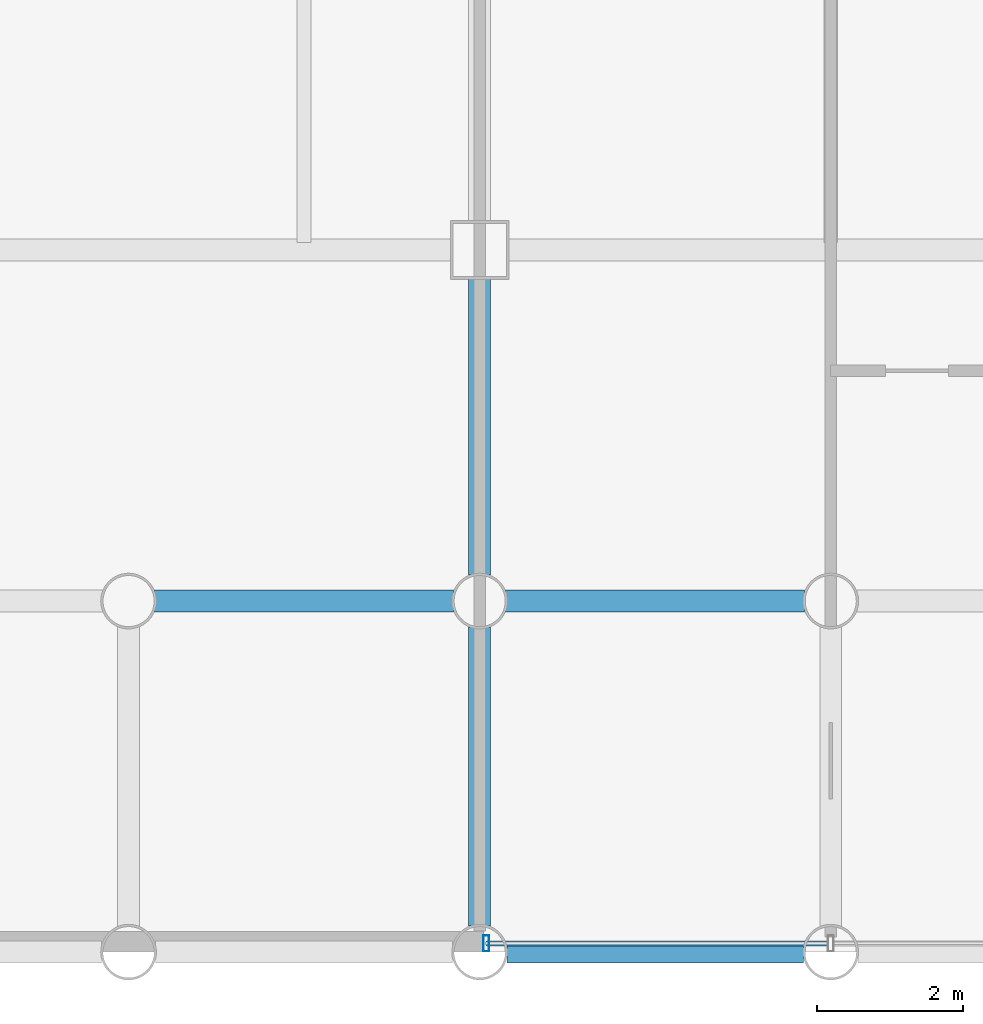
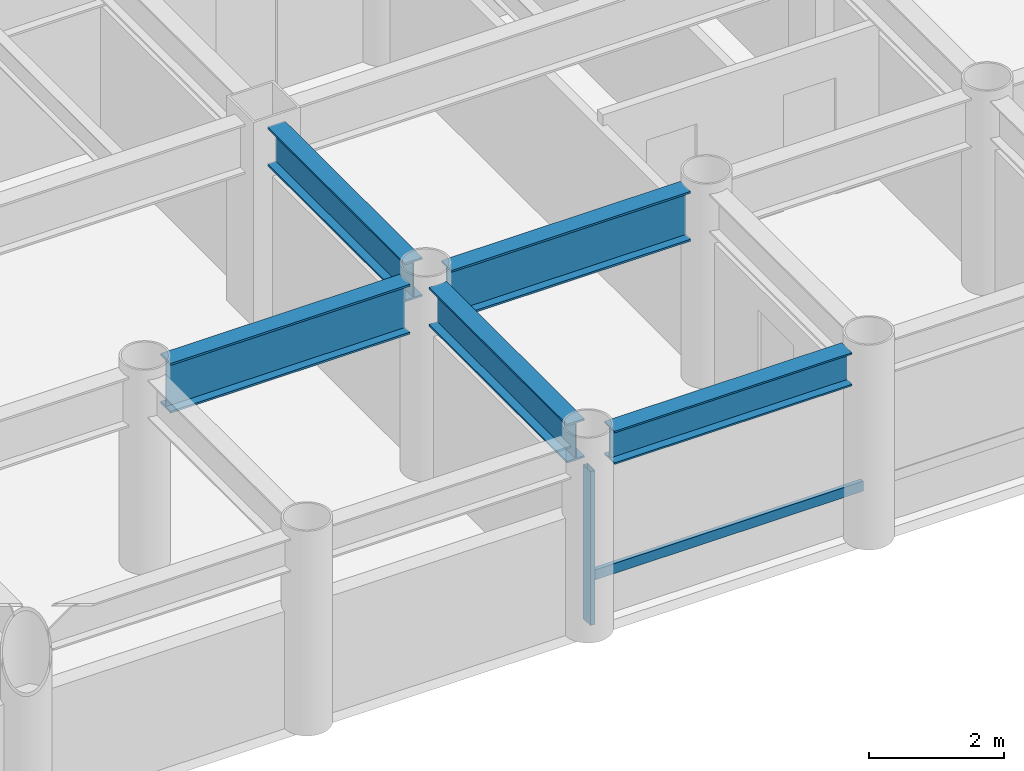
# One storey, part 2 of 22: 5 beams, 2 members, 1 element without a shape of its own.
"""IFC4 building model written with IfcOpenShell, lengths in metres."""

from ifc_helpers import new_model, si_unit, direction, frame, origin, origin_2d, place, context, subcontext, project, spatial, hollow_rectangle, i_section, extrude, material, layer, layer_set, material_profile, profile_set, type_object, element, aggregate, save


model = new_model("IFC4")

# Units and contexts
model_context = context("Model", 3, precision=1e-05, world=origin(), true_north=direction((0.0, 1.0)))
body_context = subcontext(model_context, "Body", "Model", "MODEL_VIEW")
ifc_project = project(units=[si_unit("LENGTHUNIT", "METRE"), si_unit("AREAUNIT", "SQUARE_METRE"), si_unit("VOLUMEUNIT", "CUBIC_METRE"), si_unit("PLANEANGLEUNIT", "RADIAN"), si_unit("MASSUNIT", "GRAM", prefix="KILO")], contexts=[model_context])

# Site, building, storey
site_placement = place(None, origin())
site = spatial("IfcSite", under=ifc_project, at=site_placement, CompositionType="ELEMENT")
building_placement = place(site_placement, origin())
building = spatial("IfcBuilding", under=site, at=building_placement, Name="Kallvorn Hotel Tower", CompositionType="ELEMENT")
storey_placement = place(building_placement, frame((0.0, 0.0, 48.5)))
storey = spatial("IfcBuildingStorey", under=building, at=storey_placement, Name="L10", CompositionType="ELEMENT", Elevation=48.5)

# Beams
ifc_material_1 = material(Name="Structural steel S355JR", Category="steel")
ifc_material_profile_1 = material_profile(ifc_material_1, i_section(OverallWidth=0.300048828125, OverallDepth=0.60009765625, WebThickness=0.015380859375, FlangeThickness=0.030029296875, at=origin_2d()), Name="HE 600 B")
ifc_profile_set_1 = profile_set([ifc_material_profile_1], Name="Structural steel S355JR")
beam_type_1 = type_object("IfcBeamType", Name="BM_HE600B", PredefinedType="SPANDREL", material=ifc_profile_set_1)
beam_1_placement = place(storey_placement, frame((-4.428955078125, -24.0, 3.219970703125), z_axis=(1.0, 0.0, 0.0), x_axis=(0.0, 1.0, 0.0)))
element("IfcBeam", 1, at=beam_1_placement, inside=storey, type_object=beam_type_1, Name="L11 Perimeter Spandrel 156", PredefinedType="SPANDREL", context=body_context, shape_type="SweptSolid", body=[
    extrude(i_section(OverallWidth=0.300048828125, OverallDepth=0.60009765625, WebThickness=0.015380859375, FlangeThickness=0.030029296875, at=origin_2d()), origin(), (0.0, 0.0, 1.0), 4.057861328125),
])
ifc_material_2 = material(Name="Structural steel S355JR", Category="steel")
ifc_material_profile_2 = material_profile(ifc_material_2, i_section(OverallWidth=0.300048828125, OverallDepth=0.699951171875, WebThickness=0.01708984375, FlangeThickness=0.031982421875, at=origin_2d()), Name="HE 700 B")
ifc_profile_set_2 = profile_set([ifc_material_profile_2], Name="Structural steel S355JR")
beam_type_2 = type_object("IfcBeamType", Name="BM_HE700B", PredefinedType="BEAM", material=ifc_profile_set_2)
beam_2_placement = place(storey_placement, frame((-4.800048828125, -23.64404296875, 3.169921875), z_axis=(0.0, 1.0, 0.0), x_axis=(-1.0, 0.0, 0.0)))
element("IfcBeam", 2, at=beam_2_placement, inside=storey, type_object=beam_type_2, Name="L11 Primary Y-Girder 106", PredefinedType="BEAM", context=body_context, shape_type="SweptSolid", body=[
    extrude(i_section(OverallWidth=0.300048828125, OverallDepth=0.699951171875, WebThickness=0.01708984375, FlangeThickness=0.031982421875, at=origin_2d()), origin(), (0.0, 0.0, 1.0), 4.088134765625),
])
beam_3_placement = place(storey_placement, frame((-4.800048828125, -18.843994140625, 3.169921875), z_axis=(0.0, 1.0, 0.0), x_axis=(-1.0, 0.0, 0.0)))
element("IfcBeam", 3, at=beam_3_placement, inside=storey, type_object=beam_type_2, Name="L11 Primary Y-Girder 107", PredefinedType="BEAM", context=body_context, shape_type="SweptSolid", body=[
    extrude(i_section(OverallWidth=0.300048828125, OverallDepth=0.699951171875, WebThickness=0.01708984375, FlangeThickness=0.031982421875, at=origin_2d()), origin(), (0.0, 0.0, 1.0), 4.069091796875),
])
ifc_material_3 = material(Name="Structural steel S355JR", Category="steel")
ifc_material_profile_3 = material_profile(ifc_material_3, i_section(OverallWidth=0.300048828125, OverallDepth=0.89990234375, WebThickness=0.0185546875, FlangeThickness=0.034912109375, at=origin_2d()), Name="HE 900 B")
ifc_profile_set_3 = profile_set([ifc_material_profile_3], Name="Structural steel S355JR")
beam_type_3 = type_object("IfcBeamType", Name="BM_HE900B", PredefinedType="BEAM", material=ifc_profile_set_3)
beam_4_placement = place(storey_placement, frame((-9.243896484375, -19.199951171875, 3.070068359375), z_axis=(1.0, 0.0, 0.0), x_axis=(0.0, 1.0, 0.0)))
element("IfcBeam", 4, at=beam_4_placement, inside=storey, type_object=beam_type_3, Name="L11 Primary X-Girder 06", PredefinedType="BEAM", context=body_context, shape_type="SweptSolid", body=[
    extrude(i_section(OverallWidth=0.300048828125, OverallDepth=0.89990234375, WebThickness=0.0185546875, FlangeThickness=0.034912109375, at=origin_2d()), origin(), (0.0, 0.0, 1.0), 4.087890625),
])
beam_5_placement = place(storey_placement, frame((-4.444091796875, -19.199951171875, 3.070068359375), z_axis=(1.0, 0.0, 0.0), x_axis=(0.0, 1.0, 0.0)))
element("IfcBeam", 5, at=beam_5_placement, inside=storey, type_object=beam_type_3, Name="L11 Primary X-Girder 07", PredefinedType="BEAM", context=body_context, shape_type="SweptSolid", body=[
    extrude(i_section(OverallWidth=0.300048828125, OverallDepth=0.89990234375, WebThickness=0.0185546875, FlangeThickness=0.034912109375, at=origin_2d()), origin(), (0.0, 0.0, 1.0), 4.088134765625),
])

# Curtain wall, members
ifc_material_4 = material(Name="Thermally broken black-anodised aluminium AA 6063-T6", Category="aluminium")
ifc_layer = layer(ifc_material_4, 0.199951171875)
ifc_layer_set = layer_set([ifc_layer], Name="CW_SYS_3_HOTEL_LOW")
curtain_wall_type = type_object("IfcCurtainWallType", Name="CW_SYS_3_HOTEL_LOW", PredefinedType="USERDEFINED", material=ifc_layer_set)
curtain_wall_placement = place(storey_placement, origin())
curtain_wall = element("IfcCurtainWall", 6, at=curtain_wall_placement, inside=storey, type_object=curtain_wall_type, Name="L10 Dark-Glass Curtain Wall CW-L10-SC", ObjectType="UNITISED CURTAIN WALL", PredefinedType="USERDEFINED")
ifc_material_5 = material(Name="Thermally broken black-anodised aluminium AA 6063-T6", Category="aluminium")
ifc_material_profile_4 = material_profile(ifc_material_5, hollow_rectangle(XDim=0.080078125, YDim=0.219970703125, WallThickness=0.0048828125, at=origin_2d()), Name="MUL 220x80")
ifc_profile_set_4 = profile_set([ifc_material_profile_4], Name="Thermally broken black-anodised aluminium AA 6063-T6")
member_type_1 = type_object("IfcMemberType", Name="CW_MULLION_220x80", PredefinedType="MULLION", material=ifc_profile_set_4)
member_1_placement = place(storey_placement, frame((-4.7099609375, -23.8798828125, 0.02001953125), z_axis=(0.0, 0.0, 1.0), x_axis=(1.0, 0.0, 0.0)))
member_1 = element("IfcMember", 7, at=member_1_placement, type_object=member_type_1, Name="CW-L10-SC Mullion 00", PredefinedType="MULLION", context=body_context, shape_type="SweptSolid", body=[
    extrude(hollow_rectangle(XDim=0.080078125, YDim=0.219970703125, WallThickness=0.0048828125, at=origin_2d()), origin(), (0.0, 0.0, 1.0), 2.780029296875),
])
ifc_material_6 = material(Name="Thermally broken black-anodised aluminium AA 6063-T6", Category="aluminium")
ifc_material_profile_5 = material_profile(ifc_material_6, hollow_rectangle(XDim=0.070068359375, YDim=0.179931640625, WallThickness=0.00390625, at=origin_2d()), Name="TRN 180x70")
ifc_profile_set_5 = profile_set([ifc_material_profile_5], Name="Thermally broken black-anodised aluminium AA 6063-T6")
member_type_2 = type_object("IfcMemberType", Name="CW_TRANSOM_180x70", PredefinedType="USERDEFINED", material=ifc_profile_set_5)
member_2_placement = place(storey_placement, frame((-4.7099609375, -23.8798828125, 0.85009765625), z_axis=(1.0, 0.0, 0.0), x_axis=(0.0, 1.0, 0.0)))
member_2 = element("IfcMember", 8, at=member_2_placement, type_object=member_type_2, Name="CW-L10-SC Transom 00M", ObjectType="TRANSOM", PredefinedType="USERDEFINED", context=body_context, shape_type="SweptSolid", body=[
    extrude(hollow_rectangle(XDim=0.070068359375, YDim=0.179931640625, WallThickness=0.00390625, at=origin_2d()), origin(), (0.0, 0.0, 1.0), 4.669921875),
])
aggregate(curtain_wall, [member_1, member_2])

save(model, "model.ifc")
